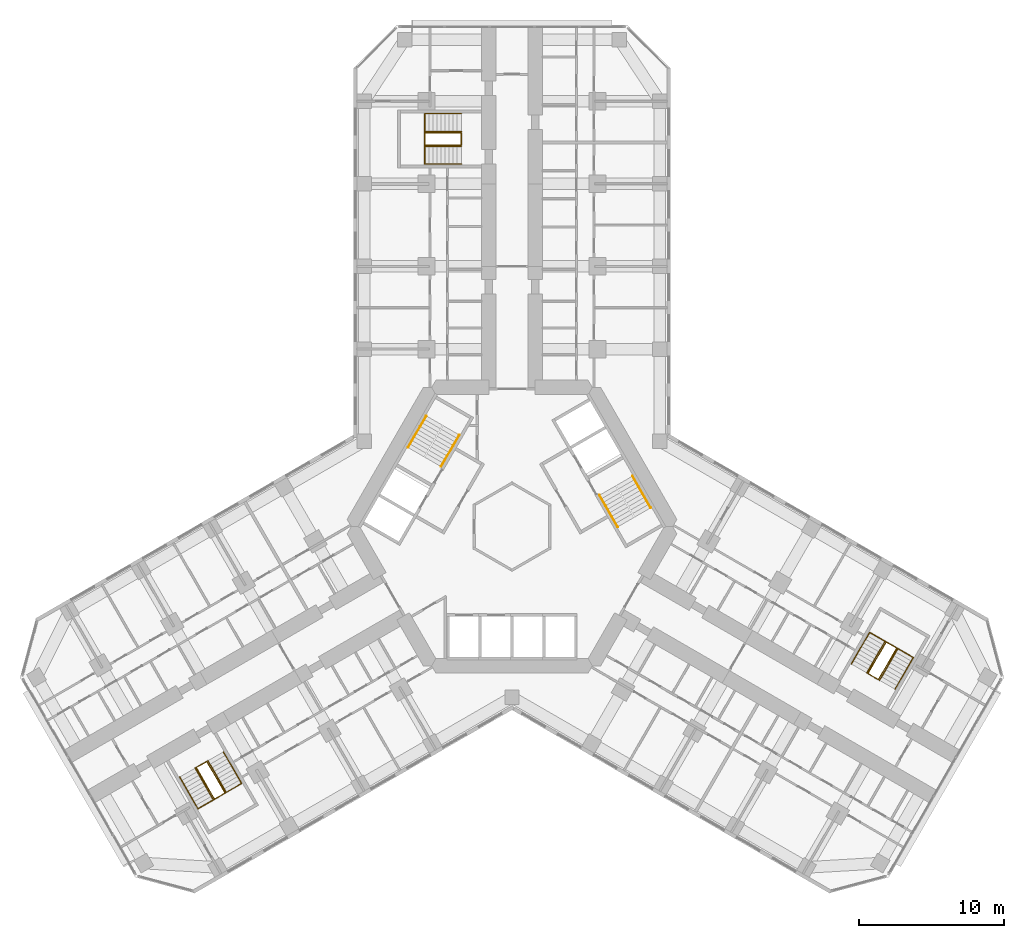
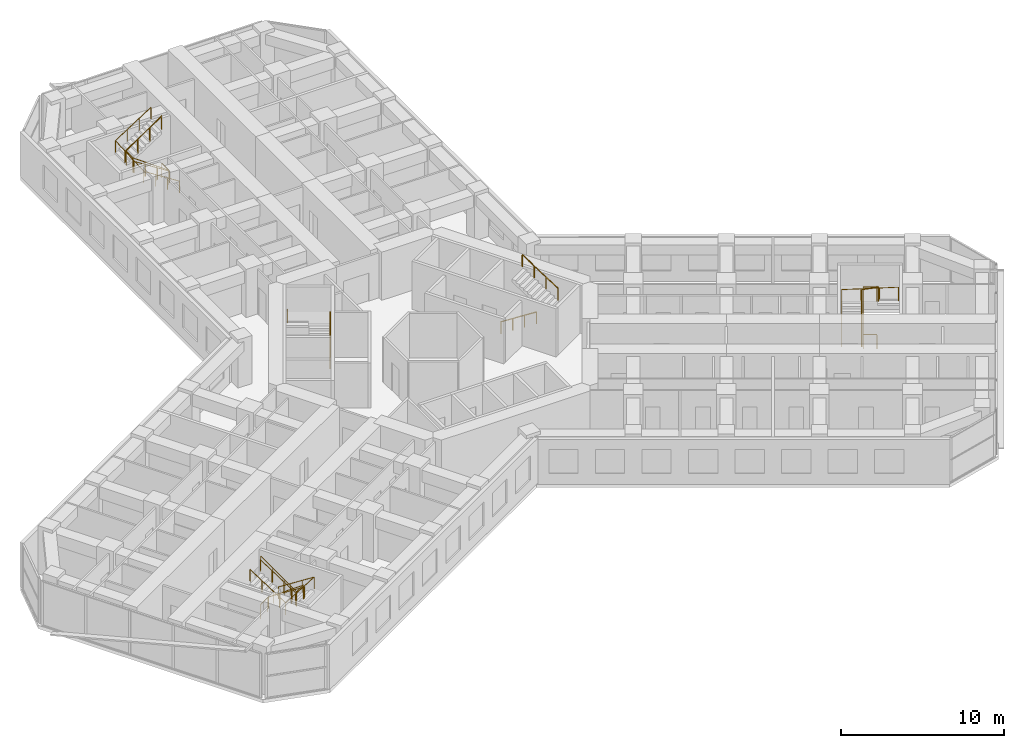
# One storey, part 21 of 21: 13 railings.
"""IFC4 building model written with IfcOpenShell, lengths in metres."""

from ifc_helpers import new_model, si_unit, direction, frame, origin, origin_2d, place, context, subcontext, project, spatial, circle, extrude, material, type_object, element, save


model = new_model("IFC4")

# Units and contexts
model_context = context("Model", 3, precision=1e-05, world=origin(), true_north=direction((0.0, 1.0)))
body_context = subcontext(model_context, "Body", "Model", "MODEL_VIEW")
ifc_project = project(units=[si_unit("LENGTHUNIT", "METRE"), si_unit("AREAUNIT", "SQUARE_METRE"), si_unit("VOLUMEUNIT", "CUBIC_METRE"), si_unit("PLANEANGLEUNIT", "RADIAN"), si_unit("MASSUNIT", "GRAM", prefix="KILO")], contexts=[model_context])

# Site, building, storey
site_placement = place(None, origin())
site = spatial("IfcSite", under=ifc_project, at=site_placement, CompositionType="ELEMENT")
building_placement = place(site_placement, origin())
building = spatial("IfcBuilding", under=site, at=building_placement, Name="Kosmar Iwan School Tower", CompositionType="ELEMENT")
storey_placement = place(building_placement, frame((0.0, 0.0, 53.800048828125)))
storey = spatial("IfcBuildingStorey", under=building, at=storey_placement, Name="L12", CompositionType="ELEMENT", Elevation=53.800048828125)

# Railings
ifc_material_1 = material(Name="Black steel", Category="steel")
railing_type_1 = type_object("IfcRailingType", Name="Stair handrail 900", PredefinedType="HANDRAIL", material=ifc_material_1)
railing_1_placement = place(storey_placement, frame((-4.89453125, 4.142333984375, 0.179931640625)))
element("IfcRailing", 1, at=railing_1_placement, inside=storey, type_object=railing_type_1, Name="Handrail ST2 flight 1", PredefinedType="HANDRAIL", context=body_context, shape_type="SweptSolid", body=[
    extrude(circle(Radius=0.02392578125, at=origin_2d()), frame((0.0, 0.0, 0.8759765625), z_axis=(0.420584145978, 0.728463801763, 0.540785970299), x_axis=(-0.866022637375, 0.500004791531, 0.0)), (0.0, 0.0, 1.0), 2.995849609375),
    extrude(circle(Radius=0.02099609375, at=origin_2d()), origin(), (0.0, 0.0, 1.0), 0.851806640625),
    extrude(circle(Radius=0.02099609375, at=origin_2d()), frame((0.419921875, 0.7275390625, 0.5400390625)), (0.0, 0.0, 1.0), 0.851806640625),
    extrude(circle(Radius=0.02099609375, at=origin_2d()), frame((0.840087890625, 1.454833984375, 1.080078125)), (0.0, 0.0, 1.0), 0.851806640625),
    extrude(circle(Radius=0.02099609375, at=origin_2d()), frame((1.260009765625, 2.182373046875, 1.6201171875)), (0.0, 0.0, 1.0), 0.851806640625),
])
railing_2_placement = place(storey_placement, frame((-5.912353515625, 7.6396484375, 1.97998046875)))
element("IfcRailing", 2, at=railing_2_placement, inside=storey, type_object=railing_type_1, Name="Handrail ST2 flight 2", PredefinedType="HANDRAIL", context=body_context, shape_type="SweptSolid", body=[
    extrude(circle(Radius=0.02392578125, at=origin_2d()), frame((0.0, 0.0, 0.8759765625), z_axis=(-0.42060268101, -0.72849590497, 0.54072830624), x_axis=(0.866022637375, -0.500004791531, 0.0)), (0.0, 0.0, 1.0), 2.99560546875),
    extrude(circle(Radius=0.02099609375, at=origin_2d()), origin(), (0.0, 0.0, 1.0), 0.851806640625),
    extrude(circle(Radius=0.02099609375, at=origin_2d()), frame((-0.419921875, -0.7275390625, 0.5400390625)), (0.0, 0.0, 1.0), 0.851806640625),
    extrude(circle(Radius=0.02099609375, at=origin_2d()), frame((-0.840087890625, -1.454833984375, 1.079833984375)), (0.0, 0.0, 1.0), 0.851806640625),
    extrude(circle(Radius=0.02099609375, at=origin_2d()), frame((-1.260009765625, -2.182373046875, 1.619873046875)), (0.0, 0.0, 1.0), 0.851806640625),
])
railing_3_placement = place(storey_placement, frame((6.03466796875, 2.167724609375, 0.179931640625)))
element("IfcRailing", 3, at=railing_3_placement, inside=storey, type_object=railing_type_1, Name="Handrail ST1 flight 1", PredefinedType="HANDRAIL", context=body_context, shape_type="SweptSolid", body=[
    extrude(circle(Radius=0.02392578125, at=origin_2d()), frame((0.0, 0.0, 0.8759765625), z_axis=(0.420584145978, -0.728463801763, 0.540785970299), x_axis=(0.866022637375, 0.500004791531, 0.0)), (0.0, 0.0, 1.0), 2.995849609375),
    extrude(circle(Radius=0.02099609375, at=origin_2d()), origin(), (0.0, 0.0, 1.0), 0.851806640625),
    extrude(circle(Radius=0.02099609375, at=origin_2d()), frame((0.419921875, -0.7275390625, 0.5400390625)), (0.0, 0.0, 1.0), 0.851806640625),
    extrude(circle(Radius=0.02099609375, at=origin_2d()), frame((0.840087890625, -1.454833984375, 1.080078125)), (0.0, 0.0, 1.0), 0.851806640625),
    extrude(circle(Radius=0.02099609375, at=origin_2d()), frame((1.260009765625, -2.182373046875, 1.6201171875)), (0.0, 0.0, 1.0), 0.851806640625),
])
railing_4_placement = place(storey_placement, frame((9.572265625, 1.30029296875, 1.97998046875)))
element("IfcRailing", 4, at=railing_4_placement, inside=storey, type_object=railing_type_1, Name="Handrail ST1 flight 2", PredefinedType="HANDRAIL", context=body_context, shape_type="SweptSolid", body=[
    extrude(circle(Radius=0.02392578125, at=origin_2d()), frame((0.0, 0.0, 0.8759765625), z_axis=(-0.42060268101, 0.72849590497, 0.54072830624), x_axis=(-0.866022637375, -0.500004791531, 0.0)), (0.0, 0.0, 1.0), 2.99560546875),
    extrude(circle(Radius=0.02099609375, at=origin_2d()), origin(), (0.0, 0.0, 1.0), 0.851806640625),
    extrude(circle(Radius=0.02099609375, at=origin_2d()), frame((-0.419921875, 0.7275390625, 0.5400390625)), (0.0, 0.0, 1.0), 0.851806640625),
    extrude(circle(Radius=0.02099609375, at=origin_2d()), frame((-0.840087890625, 1.454833984375, 1.079833984375)), (0.0, 0.0, 1.0), 0.851806640625),
    extrude(circle(Radius=0.02099609375, at=origin_2d()), frame((-1.260009765625, 2.182373046875, 1.619873046875)), (0.0, 0.0, 1.0), 0.851806640625),
])
railing_5_placement = place(storey_placement, frame((-3.5, 25.010009765625, 0.179931640625)))
element("IfcRailing", 5, at=railing_5_placement, inside=storey, type_object=railing_type_1, Name="Handrail stair WS1 L12 wall side", PredefinedType="HANDRAIL", context=body_context, shape_type="SweptSolid", body=[
    extrude(circle(Radius=0.02392578125, at=origin_2d()), frame((0.0, 0.0, 0.8759765625), z_axis=(-0.841162588446, 0.0, 0.540782303519), x_axis=(0.0, -1.0, 0.0)), (0.0, 0.0, 1.0), 2.995849609375),
    extrude(circle(Radius=0.02392578125, at=origin_2d()), frame((-2.52001953125, 0.0, 2.49609375), z_axis=(0.0, 0.998665981786, 0.051635809497), x_axis=(-1.0, 0.0, 0.0)), (0.0, 0.0, 1.0), 3.484619140625),
    extrude(circle(Radius=0.02392578125, at=origin_2d()), frame((-2.52001953125, 3.47998046875, 2.67578125), z_axis=(0.841199657755, 0.0, 0.540724639528), x_axis=(0.0, 1.0, 0.0)), (0.0, 0.0, 1.0), 2.995849609375),
    extrude(circle(Radius=0.02099609375, at=origin_2d()), origin(), (0.0, 0.0, 1.0), 0.851806640625),
    extrude(circle(Radius=0.02099609375, at=origin_2d()), frame((-0.840087890625, 0.0, 0.5400390625)), (0.0, 0.0, 1.0), 0.851806640625),
    extrude(circle(Radius=0.02099609375, at=origin_2d()), frame((-1.679931640625, 0.0, 1.080078125)), (0.0, 0.0, 1.0), 0.851806640625),
    extrude(circle(Radius=0.02099609375, at=origin_2d()), frame((-2.52001953125, 0.0, 1.6201171875)), (0.0, 0.0, 1.0), 0.851806640625),
    extrude(circle(Radius=0.02099609375, at=origin_2d()), frame((-2.52001953125, 1.159912109375, 1.68017578125)), (0.0, 0.0, 1.0), 0.851806640625),
    extrude(circle(Radius=0.02099609375, at=origin_2d()), frame((-2.52001953125, 2.320068359375, 1.739990234375)), (0.0, 0.0, 1.0), 0.851806640625),
    extrude(circle(Radius=0.02099609375, at=origin_2d()), frame((-2.52001953125, 3.47998046875, 1.800048828125)), (0.0, 0.0, 1.0), 0.851806640625),
    extrude(circle(Radius=0.02099609375, at=origin_2d()), frame((-1.679931640625, 3.47998046875, 2.340087890625)), (0.0, 0.0, 1.0), 0.851806640625),
    extrude(circle(Radius=0.02099609375, at=origin_2d()), frame((-0.840087890625, 3.47998046875, 2.8798828125)), (0.0, 0.0, 1.0), 0.851806640625),
    extrude(circle(Radius=0.02099609375, at=origin_2d()), frame((0.0, 3.47998046875, 3.419921875)), (0.0, 0.0, 1.0), 0.851806640625),
])
railing_6_placement = place(storey_placement, frame((-3.5, 26.239990234375, 0.179931640625)))
element("IfcRailing", 6, at=railing_6_placement, inside=storey, type_object=railing_type_1, Name="Handrail stair WS1 L12 well side", PredefinedType="HANDRAIL", context=body_context, shape_type="SweptSolid", body=[
    extrude(circle(Radius=0.02392578125, at=origin_2d()), frame((0.0, 0.0, 0.8759765625), z_axis=(-0.841162588446, 0.0, 0.540782303519), x_axis=(0.0, -1.0, 0.0)), (0.0, 0.0, 1.0), 2.995849609375),
    extrude(circle(Radius=0.02392578125, at=origin_2d()), frame((-2.52001953125, 0.0, 2.49609375), z_axis=(0.0, 0.984795421109, 0.173718100851), x_axis=(-1.0, 0.0, 0.0)), (0.0, 0.0, 1.0), 1.035888671875),
    extrude(circle(Radius=0.02392578125, at=origin_2d()), frame((-2.52001953125, 1.02001953125, 2.67578125), z_axis=(0.841199657755, 0.0, 0.540724639528), x_axis=(0.0, 1.0, 0.0)), (0.0, 0.0, 1.0), 2.995849609375),
    extrude(circle(Radius=0.02099609375, at=origin_2d()), origin(), (0.0, 0.0, 1.0), 0.851806640625),
    extrude(circle(Radius=0.02099609375, at=origin_2d()), frame((-0.840087890625, 0.0, 0.5400390625)), (0.0, 0.0, 1.0), 0.851806640625),
    extrude(circle(Radius=0.02099609375, at=origin_2d()), frame((-1.679931640625, 0.0, 1.080078125)), (0.0, 0.0, 1.0), 0.851806640625),
    extrude(circle(Radius=0.02099609375, at=origin_2d()), frame((-2.52001953125, 0.0, 1.6201171875)), (0.0, 0.0, 1.0), 0.851806640625),
    extrude(circle(Radius=0.02099609375, at=origin_2d()), frame((-2.52001953125, 1.02001953125, 1.800048828125)), (0.0, 0.0, 1.0), 0.851806640625),
    extrude(circle(Radius=0.02099609375, at=origin_2d()), frame((-1.679931640625, 1.02001953125, 2.340087890625)), (0.0, 0.0, 1.0), 0.851806640625),
    extrude(circle(Radius=0.02099609375, at=origin_2d()), frame((-0.840087890625, 1.02001953125, 2.8798828125)), (0.0, 0.0, 1.0), 0.851806640625),
    extrude(circle(Radius=0.02099609375, at=origin_2d()), frame((0.0, 1.02001953125, 3.419921875)), (0.0, 0.0, 1.0), 0.851806640625),
])
railing_7_placement = place(storey_placement, frame((-19.9091796875, -15.5361328125, 0.179931640625)))
element("IfcRailing", 7, at=railing_7_placement, inside=storey, type_object=railing_type_1, Name="Handrail stair WS2 L12 wall side", PredefinedType="HANDRAIL", context=body_context, shape_type="SweptSolid", body=[
    extrude(circle(Radius=0.02392578125, at=origin_2d()), frame((0.0, 0.0, 0.8759765625), z_axis=(0.420517065106, -0.728488768407, 0.540804504659), x_axis=(0.866064587494, 0.499932125682, 0.0)), (0.0, 0.0, 1.0), 2.995849609375),
    extrude(circle(Radius=0.02392578125, at=origin_2d()), frame((1.259765625, -2.182373046875, 2.49609375), z_axis=(-0.864864352349, -0.499342858003, 0.051636829851), x_axis=(0.500009906705, -0.86601968407, 0.0)), (0.0, 0.0, 1.0), 3.484619140625),
    extrude(circle(Radius=0.02392578125, at=origin_2d()), frame((-1.75390625, -3.92236328125, 2.67578125), z_axis=(-0.42060268101, 0.72849590497, 0.54072830624), x_axis=(-0.866022637375, -0.500004791531, 0.0)), (0.0, 0.0, 1.0), 2.99560546875),
    extrude(circle(Radius=0.02099609375, at=origin_2d()), origin(), (0.0, 0.0, 1.0), 0.851806640625),
    extrude(circle(Radius=0.02099609375, at=origin_2d()), frame((0.419921875, -0.7275390625, 0.5400390625)), (0.0, 0.0, 1.0), 0.851806640625),
    extrude(circle(Radius=0.02099609375, at=origin_2d()), frame((0.83984375, -1.454833984375, 1.080078125)), (0.0, 0.0, 1.0), 0.851806640625),
    extrude(circle(Radius=0.02099609375, at=origin_2d()), frame((1.259765625, -2.182373046875, 1.6201171875)), (0.0, 0.0, 1.0), 0.851806640625),
    extrude(circle(Radius=0.02099609375, at=origin_2d()), frame((0.255126953125, -2.762451171875, 1.68017578125)), (0.0, 0.0, 1.0), 0.851806640625),
    extrude(circle(Radius=0.02099609375, at=origin_2d()), frame((-0.749267578125, -3.34228515625, 1.739990234375)), (0.0, 0.0, 1.0), 0.851806640625),
    extrude(circle(Radius=0.02099609375, at=origin_2d()), frame((-1.75390625, -3.92236328125, 1.800048828125)), (0.0, 0.0, 1.0), 0.851806640625),
    extrude(circle(Radius=0.02099609375, at=origin_2d()), frame((-2.173828125, -3.19482421875, 2.340087890625)), (0.0, 0.0, 1.0), 0.851806640625),
    extrude(circle(Radius=0.02099609375, at=origin_2d()), frame((-2.593994140625, -2.467529296875, 2.8798828125)), (0.0, 0.0, 1.0), 0.851806640625),
    extrude(circle(Radius=0.02099609375, at=origin_2d()), frame((-3.013916015625, -1.739990234375, 3.419921875)), (0.0, 0.0, 1.0), 0.851806640625),
])
railing_8_placement = place(storey_placement, frame((-20.974609375, -16.151123046875, 0.179931640625)))
element("IfcRailing", 8, at=railing_8_placement, inside=storey, type_object=railing_type_1, Name="Handrail stair WS2 L12 well side", PredefinedType="HANDRAIL", context=body_context, shape_type="SweptSolid", body=[
    extrude(circle(Radius=0.02392578125, at=origin_2d()), frame((0.0, 0.0, 0.8759765625), z_axis=(0.420584145978, -0.728463801763, 0.540785970299), x_axis=(0.866022637375, 0.500004791531, 0.0)), (0.0, 0.0, 1.0), 2.995849609375),
    extrude(circle(Radius=0.02392578125, at=origin_2d()), frame((1.260009765625, -2.182373046875, 2.49609375), z_axis=(-0.852841519511, -0.492422867401, 0.173726976197), x_axis=(0.500026340207, -0.866010195725, 0.0)), (0.0, 0.0, 1.0), 1.03564453125),
    extrude(circle(Radius=0.02392578125, at=origin_2d()), frame((0.376708984375, -2.6923828125, 2.67578125), z_axis=(-0.42060268101, 0.72849590497, 0.54072830624), x_axis=(-0.866022637375, -0.500004791531, 0.0)), (0.0, 0.0, 1.0), 2.99560546875),
    extrude(circle(Radius=0.02099609375, at=origin_2d()), origin(), (0.0, 0.0, 1.0), 0.851806640625),
    extrude(circle(Radius=0.02099609375, at=origin_2d()), frame((0.419921875, -0.7275390625, 0.5400390625)), (0.0, 0.0, 1.0), 0.851806640625),
    extrude(circle(Radius=0.02099609375, at=origin_2d()), frame((0.840087890625, -1.454833984375, 1.080078125)), (0.0, 0.0, 1.0), 0.851806640625),
    extrude(circle(Radius=0.02099609375, at=origin_2d()), frame((1.260009765625, -2.182373046875, 1.6201171875)), (0.0, 0.0, 1.0), 0.851806640625),
    extrude(circle(Radius=0.02099609375, at=origin_2d()), frame((0.376708984375, -2.6923828125, 1.800048828125)), (0.0, 0.0, 1.0), 0.851806640625),
    extrude(circle(Radius=0.02099609375, at=origin_2d()), frame((-0.043212890625, -1.96484375, 2.340087890625)), (0.0, 0.0, 1.0), 0.851806640625),
    extrude(circle(Radius=0.02099609375, at=origin_2d()), frame((-0.46337890625, -1.237548828125, 2.8798828125)), (0.0, 0.0, 1.0), 0.851806640625),
    extrude(circle(Radius=0.02099609375, at=origin_2d()), frame((-0.88330078125, -0.510009765625, 3.419921875)), (0.0, 0.0, 1.0), 0.851806640625),
])
railing_9_placement = place(storey_placement, frame((23.4091796875, -9.473876953125, 0.179931640625)))
element("IfcRailing", 9, at=railing_9_placement, inside=storey, type_object=railing_type_1, Name="Handrail stair WS3 L12 wall side", PredefinedType="HANDRAIL", context=body_context, shape_type="SweptSolid", body=[
    extrude(circle(Radius=0.02392578125, at=origin_2d()), frame((0.0, 0.0, 0.8759765625), z_axis=(0.420584145978, 0.728463801763, 0.540785970299), x_axis=(-0.866022637375, 0.500004791531, 0.0)), (0.0, 0.0, 1.0), 2.995849609375),
    extrude(circle(Radius=0.02392578125, at=origin_2d()), frame((1.260009765625, 2.182373046875, 2.49609375), z_axis=(0.864882007433, -0.499312601618, 0.051633701051), x_axis=(0.499979528911, 0.866037222451, 0.0)), (0.0, 0.0, 1.0), 3.48486328125),
    extrude(circle(Radius=0.02392578125, at=origin_2d()), frame((4.27392578125, 0.4423828125, 2.67578125), z_axis=(-0.42060268101, -0.72849590497, 0.54072830624), x_axis=(0.866022637375, -0.500004791531, 0.0)), (0.0, 0.0, 1.0), 2.99560546875),
    extrude(circle(Radius=0.02099609375, at=origin_2d()), origin(), (0.0, 0.0, 1.0), 0.851806640625),
    extrude(circle(Radius=0.02099609375, at=origin_2d()), frame((0.419921875, 0.7275390625, 0.5400390625)), (0.0, 0.0, 1.0), 0.851806640625),
    extrude(circle(Radius=0.02099609375, at=origin_2d()), frame((0.840087890625, 1.454833984375, 1.080078125)), (0.0, 0.0, 1.0), 0.851806640625),
    extrude(circle(Radius=0.02099609375, at=origin_2d()), frame((1.260009765625, 2.182373046875, 1.6201171875)), (0.0, 0.0, 1.0), 0.851806640625),
    extrude(circle(Radius=0.02099609375, at=origin_2d()), frame((2.2646484375, 1.602294921875, 1.68017578125)), (0.0, 0.0, 1.0), 0.851806640625),
    extrude(circle(Radius=0.02099609375, at=origin_2d()), frame((3.269287109375, 1.0224609375, 1.739990234375)), (0.0, 0.0, 1.0), 0.851806640625),
    extrude(circle(Radius=0.02099609375, at=origin_2d()), frame((4.27392578125, 0.4423828125, 1.800048828125)), (0.0, 0.0, 1.0), 0.851806640625),
    extrude(circle(Radius=0.02099609375, at=origin_2d()), frame((3.85400390625, -0.28515625, 2.340087890625)), (0.0, 0.0, 1.0), 0.851806640625),
    extrude(circle(Radius=0.02099609375, at=origin_2d()), frame((3.433837890625, -1.012451171875, 2.8798828125)), (0.0, 0.0, 1.0), 0.851806640625),
    extrude(circle(Radius=0.02099609375, at=origin_2d()), frame((3.013916015625, -1.739990234375, 3.419921875)), (0.0, 0.0, 1.0), 0.851806640625),
])
railing_10_placement = place(storey_placement, frame((24.474609375, -10.0888671875, 0.179931640625)))
element("IfcRailing", 10, at=railing_10_placement, inside=storey, type_object=railing_type_1, Name="Handrail stair WS3 L12 well side", PredefinedType="HANDRAIL", context=body_context, shape_type="SweptSolid", body=[
    extrude(circle(Radius=0.02392578125, at=origin_2d()), frame((0.0, 0.0, 0.8759765625), z_axis=(0.420584145978, 0.728463801763, 0.540785970299), x_axis=(-0.866022637375, 0.500004791531, 0.0)), (0.0, 0.0, 1.0), 2.995849609375),
    extrude(circle(Radius=0.02392578125, at=origin_2d()), frame((1.260009765625, 2.182373046875, 2.49609375), z_axis=(0.852841519511, -0.492422867401, 0.173726976197), x_axis=(0.500026340207, 0.866010195725, 0.0)), (0.0, 0.0, 1.0), 1.03564453125),
    extrude(circle(Radius=0.02392578125, at=origin_2d()), frame((2.143310546875, 1.67236328125, 2.67578125), z_axis=(-0.42060268101, -0.72849590497, 0.54072830624), x_axis=(0.866022637375, -0.500004791531, 0.0)), (0.0, 0.0, 1.0), 2.99560546875),
    extrude(circle(Radius=0.02099609375, at=origin_2d()), origin(), (0.0, 0.0, 1.0), 0.851806640625),
    extrude(circle(Radius=0.02099609375, at=origin_2d()), frame((0.419921875, 0.7275390625, 0.5400390625)), (0.0, 0.0, 1.0), 0.851806640625),
    extrude(circle(Radius=0.02099609375, at=origin_2d()), frame((0.840087890625, 1.454833984375, 1.080078125)), (0.0, 0.0, 1.0), 0.851806640625),
    extrude(circle(Radius=0.02099609375, at=origin_2d()), frame((1.260009765625, 2.182373046875, 1.6201171875)), (0.0, 0.0, 1.0), 0.851806640625),
    extrude(circle(Radius=0.02099609375, at=origin_2d()), frame((2.143310546875, 1.67236328125, 1.800048828125)), (0.0, 0.0, 1.0), 0.851806640625),
    extrude(circle(Radius=0.02099609375, at=origin_2d()), frame((1.723388671875, 0.94482421875, 2.340087890625)), (0.0, 0.0, 1.0), 0.851806640625),
    extrude(circle(Radius=0.02099609375, at=origin_2d()), frame((1.30322265625, 0.217529296875, 2.8798828125)), (0.0, 0.0, 1.0), 0.851806640625),
    extrude(circle(Radius=0.02099609375, at=origin_2d()), frame((0.88330078125, -0.510009765625, 3.419921875)), (0.0, 0.0, 1.0), 0.851806640625),
])
ifc_material_2 = material(Name="Black steel", Category="steel")
railing_type_2 = type_object("IfcRailingType", Name="Stair well guard 1100", PredefinedType="GUARDRAIL", material=ifc_material_2)
railing_11_placement = place(storey_placement, frame((-3.5, 27.169921875, 0.0)))
element("IfcRailing", 11, at=railing_11_placement, inside=storey, type_object=railing_type_2, Name="Stair WS1 L12 well guard", PredefinedType="GUARDRAIL", context=body_context, shape_type="SweptSolid", body=[
    extrude(circle(Radius=0.02392578125, at=origin_2d()), frame((0.0, 0.0, 1.076171875), z_axis=(0.0, -1.0, 0.0), x_axis=(1.0, 0.0, 0.0)), (0.0, 0.0, 1.0), 0.83984375),
    extrude(circle(Radius=0.02392578125, at=origin_2d()), frame((0.0, -0.83984375, 1.076171875), z_axis=(-0.813728144527, 0.0, 0.581245650998), x_axis=(0.0, -1.0, 0.0)), (0.0, 0.0, 1.0), 3.096923828125),
    extrude(circle(Radius=0.02392578125, at=origin_2d()), frame((-2.52001953125, -0.83984375, 2.8759765625), z_axis=(0.0, 1.0, 0.0), x_axis=(-1.0, 0.0, 0.0)), (0.0, 0.0, 1.0), 0.83984375),
    extrude(circle(Radius=0.02392578125, at=origin_2d()), frame((-2.52001953125, 0.0, 2.8759765625), z_axis=(0.813765431312, 0.0, 0.581193446971), x_axis=(0.0, 1.0, 0.0)), (0.0, 0.0, 1.0), 3.0966796875),
    extrude(circle(Radius=0.02099609375, at=origin_2d()), origin(), (0.0, 0.0, 1.0), 1.052001953125),
    extrude(circle(Radius=0.02099609375, at=origin_2d()), frame((0.0, -0.83984375, 0.0)), (0.0, 0.0, 1.0), 1.052001953125),
    extrude(circle(Radius=0.02099609375, at=origin_2d()), frame((-0.840087890625, -0.83984375, 0.60009765625)), (0.0, 0.0, 1.0), 1.052001953125),
    extrude(circle(Radius=0.02099609375, at=origin_2d()), frame((-1.679931640625, -0.83984375, 1.199951171875)), (0.0, 0.0, 1.0), 1.052001953125),
    extrude(circle(Radius=0.02099609375, at=origin_2d()), frame((-2.52001953125, -0.83984375, 1.800048828125)), (0.0, 0.0, 1.0), 1.052001953125),
    extrude(circle(Radius=0.02099609375, at=origin_2d()), frame((-2.52001953125, 0.0, 1.800048828125)), (0.0, 0.0, 1.0), 1.052001953125),
    extrude(circle(Radius=0.02099609375, at=origin_2d()), frame((-1.679931640625, 0.0, 2.39990234375)), (0.0, 0.0, 1.0), 1.052001953125),
    extrude(circle(Radius=0.02099609375, at=origin_2d()), frame((-0.840087890625, 0.0, 3.0)), (0.0, 0.0, 1.0), 1.052001953125),
    extrude(circle(Radius=0.02099609375, at=origin_2d()), frame((0.0, 0.0, 3.599853515625)), (0.0, 0.0, 1.0), 1.052001953125),
])
railing_12_placement = place(storey_placement, frame((-21.780029296875, -16.6162109375, 0.0)))
element("IfcRailing", 12, at=railing_12_placement, inside=storey, type_object=railing_type_2, Name="Stair WS2 L12 well guard", PredefinedType="GUARDRAIL", context=body_context, shape_type="SweptSolid", body=[
    extrude(circle(Radius=0.02392578125, at=origin_2d()), frame((0.0, 0.0, 1.076171875), z_axis=(0.865962960534, 0.500108139288, 0.0), x_axis=(-0.500108139288, 0.865962960534, 0.0)), (0.0, 0.0, 1.0), 0.840087890625),
    extrude(circle(Radius=0.02392578125, at=origin_2d()), frame((0.7275390625, 0.420166015625, 1.076171875), z_axis=(0.40686665399, -0.704704712268, 0.58124933925), x_axis=(0.866022637375, 0.500004791531, 0.0)), (0.0, 0.0, 1.0), 3.096923828125),
    extrude(circle(Radius=0.02392578125, at=origin_2d()), frame((1.987548828125, -1.76220703125, 2.8759765625), z_axis=(-0.865962960534, -0.500108139288, 0.0), x_axis=(0.500108139288, -0.865962960534, 0.0)), (0.0, 0.0, 1.0), 0.840087890625),
    extrude(circle(Radius=0.02392578125, at=origin_2d()), frame((1.260009765625, -2.182373046875, 2.8759765625), z_axis=(-0.406885297737, 0.704737003773, 0.581197135229), x_axis=(-0.866022637375, -0.500004791531, 0.0)), (0.0, 0.0, 1.0), 3.0966796875),
    extrude(circle(Radius=0.02099609375, at=origin_2d()), origin(), (0.0, 0.0, 1.0), 1.052001953125),
    extrude(circle(Radius=0.02099609375, at=origin_2d()), frame((0.7275390625, 0.420166015625, 0.0)), (0.0, 0.0, 1.0), 1.052001953125),
    extrude(circle(Radius=0.02099609375, at=origin_2d()), frame((1.1474609375, -0.307373046875, 0.60009765625)), (0.0, 0.0, 1.0), 1.052001953125),
    extrude(circle(Radius=0.02099609375, at=origin_2d()), frame((1.567626953125, -1.03466796875, 1.199951171875)), (0.0, 0.0, 1.0), 1.052001953125),
    extrude(circle(Radius=0.02099609375, at=origin_2d()), frame((1.987548828125, -1.76220703125, 1.800048828125)), (0.0, 0.0, 1.0), 1.052001953125),
    extrude(circle(Radius=0.02099609375, at=origin_2d()), frame((1.260009765625, -2.182373046875, 1.800048828125)), (0.0, 0.0, 1.0), 1.052001953125),
    extrude(circle(Radius=0.02099609375, at=origin_2d()), frame((0.840087890625, -1.454833984375, 2.39990234375)), (0.0, 0.0, 1.0), 1.052001953125),
    extrude(circle(Radius=0.02099609375, at=origin_2d()), frame((0.419921875, -0.7275390625, 3.0)), (0.0, 0.0, 1.0), 1.052001953125),
    extrude(circle(Radius=0.02099609375, at=origin_2d()), frame((0.0, 0.0, 3.599853515625)), (0.0, 0.0, 1.0), 1.052001953125),
])
railing_13_placement = place(storey_placement, frame((25.280029296875, -10.553955078125, 0.0)))
element("IfcRailing", 13, at=railing_13_placement, inside=storey, type_object=railing_type_2, Name="Stair WS3 L12 well guard", PredefinedType="GUARDRAIL", context=body_context, shape_type="SweptSolid", body=[
    extrude(circle(Radius=0.02392578125, at=origin_2d()), frame((0.0, 0.0, 1.076171875), z_axis=(-0.865962960534, 0.500108139288, 0.0), x_axis=(-0.500108139288, -0.865962960534, 0.0)), (0.0, 0.0, 1.0), 0.840087890625),
    extrude(circle(Radius=0.02392578125, at=origin_2d()), frame((-0.7275390625, 0.420166015625, 1.076171875), z_axis=(0.40686665399, 0.704704712268, 0.58124933925), x_axis=(-0.866022637375, 0.500004791531, 0.0)), (0.0, 0.0, 1.0), 3.096923828125),
    extrude(circle(Radius=0.02392578125, at=origin_2d()), frame((0.532470703125, 2.6025390625, 2.8759765625), z_axis=(0.865890253765, -0.500234013672, 0.0), x_axis=(0.500234013672, 0.865890253765, 0.0)), (0.0, 0.0, 1.0), 0.83984375),
    extrude(circle(Radius=0.02392578125, at=origin_2d()), frame((1.259765625, 2.182373046875, 2.8759765625), z_axis=(-0.406819508263, -0.704759609372, 0.581215778084), x_axis=(0.866064587494, -0.499932125682, 0.0)), (0.0, 0.0, 1.0), 3.0966796875),
    extrude(circle(Radius=0.02099609375, at=origin_2d()), origin(), (0.0, 0.0, 1.0), 1.052001953125),
    extrude(circle(Radius=0.02099609375, at=origin_2d()), frame((-0.7275390625, 0.420166015625, 0.0)), (0.0, 0.0, 1.0), 1.052001953125),
    extrude(circle(Radius=0.02099609375, at=origin_2d()), frame((-0.3076171875, 1.147705078125, 0.60009765625)), (0.0, 0.0, 1.0), 1.052001953125),
    extrude(circle(Radius=0.02099609375, at=origin_2d()), frame((0.112548828125, 1.875, 1.199951171875)), (0.0, 0.0, 1.0), 1.052001953125),
    extrude(circle(Radius=0.02099609375, at=origin_2d()), frame((0.532470703125, 2.6025390625, 1.800048828125)), (0.0, 0.0, 1.0), 1.052001953125),
    extrude(circle(Radius=0.02099609375, at=origin_2d()), frame((1.259765625, 2.182373046875, 1.800048828125)), (0.0, 0.0, 1.0), 1.052001953125),
    extrude(circle(Radius=0.02099609375, at=origin_2d()), frame((0.83984375, 1.454833984375, 2.39990234375)), (0.0, 0.0, 1.0), 1.052001953125),
    extrude(circle(Radius=0.02099609375, at=origin_2d()), frame((0.419921875, 0.7275390625, 3.0)), (0.0, 0.0, 1.0), 1.052001953125),
    extrude(circle(Radius=0.02099609375, at=origin_2d()), frame((0.0, 0.0, 3.599853515625)), (0.0, 0.0, 1.0), 1.052001953125),
])

save(model, "model.ifc")
